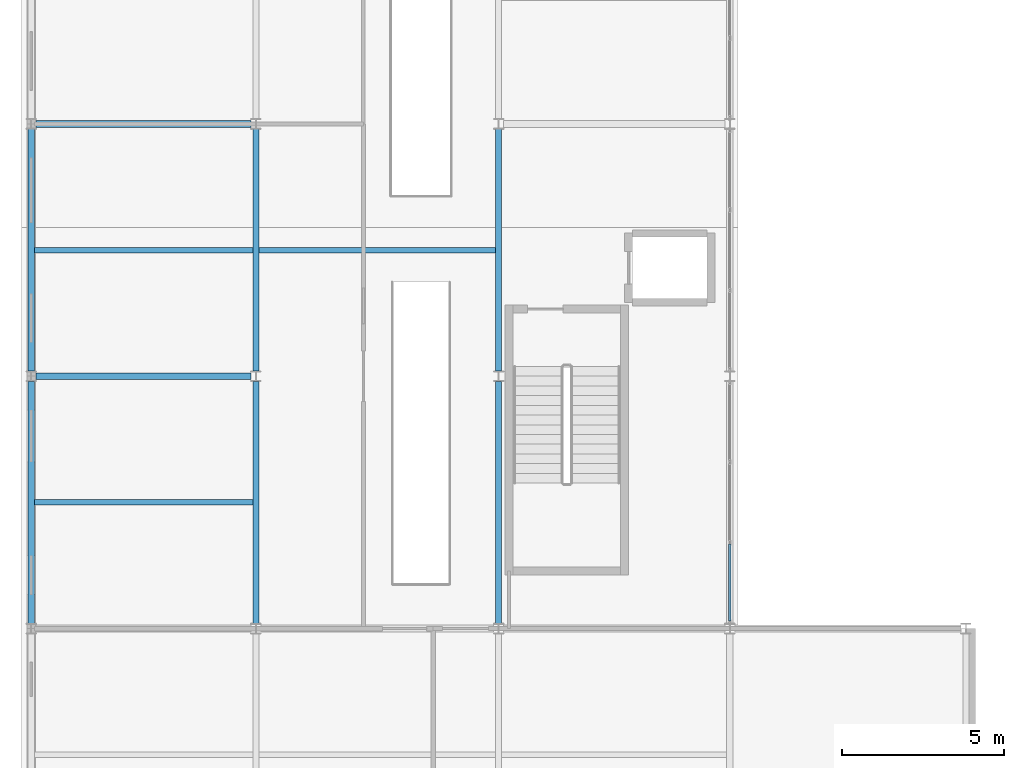
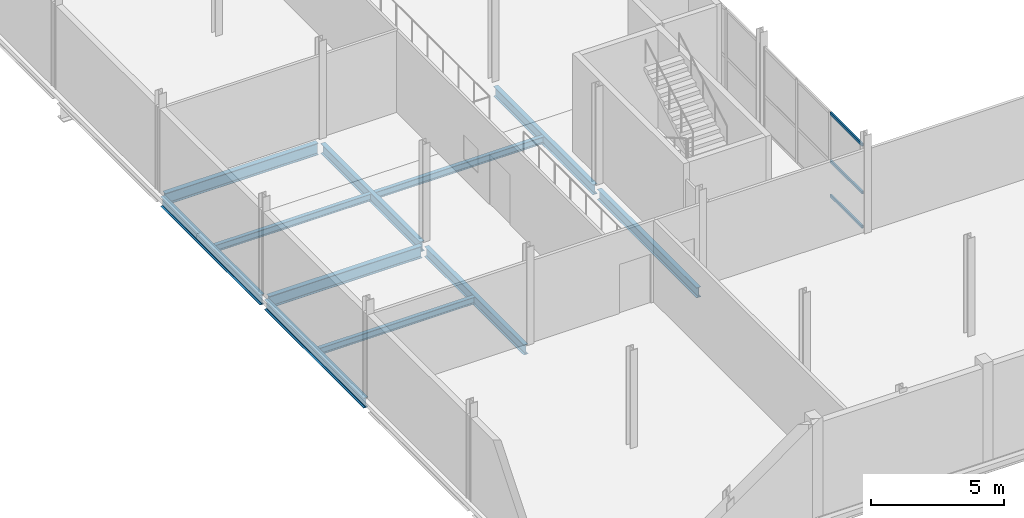
# One storey, part 13 of 77: 11 beams, 3 members, 1 element without a shape of its own.
"""IFC4 building model written with IfcOpenShell, lengths in metres."""

import ifcopenshell
import ifcopenshell.guid

model = None  # the IFC model being written
_history = None  # IfcOwnerHistory: only IFC2X3 demands one
_inside = {}  # id of a spatial element -> (the spatial element, [elements in it])
_under = {}  # id of a project, library or spatial element -> (it, [spatial elements below it])
_declared = {}  # id of a project -> (the project, [libraries it declares])
_typed = {}  # id of a type object -> (the type object, [elements of that type])
_made_of = {}  # id of a material, layer set ... -> (it, [elements and type objects made of it])


def new_model(schema):
    """Start an empty IFC model of exactly this schema.

    Asked for "IFC4X3", IfcOpenShell would pick the latest addendum, in which some entities
    have other attributes; the version numbers below select the first issue.
    IFC2X3 requires an IfcOwnerHistory on every rooted entity: one is made here for all.
    """
    global model, _history
    if schema == "IFC4X3":
        model = ifcopenshell.file(schema_version=(4, 3, 0, 0))
    else:
        model = ifcopenshell.file(schema=schema)
    _inside.clear()
    _under.clear()
    _declared.clear()
    _typed.clear()
    _made_of.clear()
    _history = None
    if model.schema == "IFC2X3":
        org = make("IfcOrganization", Name="unknown")
        user = make(
            "IfcPersonAndOrganization",
            ThePerson=make("IfcPerson", FamilyName="unknown"),
            TheOrganization=org,
        )
        app = make(
            "IfcApplication",
            ApplicationDeveloper=org,
            Version="unknown",
            ApplicationFullName="unknown",
            ApplicationIdentifier="unknown",
        )
        _history = make(
            "IfcOwnerHistory",
            OwningUser=user,
            OwningApplication=app,
            ChangeAction="ADDED",
            CreationDate=0,
        )
    return model


def make(cls, **values):
    """One entity of the class cls with the attributes given. An attribute that is None is left unset."""
    return model.create_entity(
        cls, **{name: value for name, value in values.items() if value is not None}
    )


def rooted(cls, **values):
    """An entity with a GlobalId (a new one), such as an element, a storey or a relation."""
    return make(cls, GlobalId=ifcopenshell.guid.new(), OwnerHistory=_history, **values)


def si_unit(unit_type, name, prefix=None):
    """IfcSIUnit, for example si_unit("LENGTHUNIT", "METRE", prefix="MILLI")."""
    return make("IfcSIUnit", UnitType=unit_type, Prefix=prefix, Name=name)


def assignment(units):
    """IfcUnitAssignment: the units of a project."""
    return None if units is None else make("IfcUnitAssignment", Units=units)


def point(xyz):
    """IfcCartesianPoint."""
    return None if xyz is None else make("IfcCartesianPoint", Coordinates=xyz)


def direction(xyz):
    """IfcDirection."""
    return None if xyz is None else make("IfcDirection", DirectionRatios=xyz)


def frame(location, z_axis=None, x_axis=None):
    """IfcAxis2Placement3D, a coordinate frame: its origin and axes. An axis left out is left unset."""
    return make(
        "IfcAxis2Placement3D",
        Location=point(location),
        Axis=direction(z_axis),
        RefDirection=direction(x_axis),
    )


def frame_2d(location, x_axis=None):
    """IfcAxis2Placement2D, a coordinate frame in the plane: its origin and x axis."""
    return make(
        "IfcAxis2Placement2D", Location=point(location), RefDirection=direction(x_axis)
    )


def origin():
    """The frame at (0, 0, 0) with its axes left unset."""
    return frame((0.0, 0.0, 0.0))


def origin_2d():
    """The frame at (0, 0) in the plane with its x axis left unset."""
    return frame_2d((0.0, 0.0))


def place(relative_to, where):
    """IfcLocalPlacement: puts the frame where relative to a parent placement (None: the world)."""
    return make(
        "IfcLocalPlacement", PlacementRelTo=relative_to, RelativePlacement=where
    )


def context(
    kind, dimensions, precision=None, world=None, true_north=None, identifier=None
):
    """IfcGeometricRepresentationContext, for example the 3D "Model" context."""
    return make(
        "IfcGeometricRepresentationContext",
        ContextIdentifier=identifier,
        ContextType=kind,
        CoordinateSpaceDimension=dimensions,
        Precision=precision,
        WorldCoordinateSystem=world,
        TrueNorth=true_north,
    )


def subcontext(parent, identifier, kind, view, scale=None):
    """IfcGeometricRepresentationSubContext, for example "Body" below "Model"."""
    return make(
        "IfcGeometricRepresentationSubContext",
        ContextIdentifier=identifier,
        ContextType=kind,
        ParentContext=parent,
        TargetScale=scale,
        TargetView=view,
    )


def project(units=None, contexts=None):
    """IfcProject with its units and contexts."""
    return rooted(
        "IfcProject",
        Name="project",
        RepresentationContexts=contexts,
        UnitsInContext=assignment(units),
    )


def spatial(cls, under=None, at=None, **own):
    """A site, building, storey or space (cls), placed at a placement, below another one or the project."""
    s = rooted(cls, ObjectPlacement=at, **own)
    if under is not None:
        _under.setdefault(under.id(), (under, []))[1].append(s)
    return s


def profile(cls, at=None, kind="AREA", **sizes):
    """A parametric profile (cls). Its sizes go by their IFC names, for example OverallWidth=200.0."""
    return make(cls, ProfileType=kind, Position=at, **sizes)


def hollow_rectangle(**sizes):
    """IfcRectangleHollowProfileDef."""
    return profile("IfcRectangleHollowProfileDef", **sizes)


def i_section(**sizes):
    """IfcIShapeProfileDef."""
    return profile("IfcIShapeProfileDef", **sizes)


def extrude(swept, where, along, depth):
    """IfcExtrudedAreaSolid: the profile swept, set in the frame where, extruded along a direction by depth."""
    return make(
        "IfcExtrudedAreaSolid",
        SweptArea=swept,
        Position=where,
        ExtrudedDirection=direction(along),
        Depth=depth,
    )


def shape(context_of_items, identifier, shape_type, items):
    """IfcShapeRepresentation: the items that make up one representation, for example the "Body"."""
    return make(
        "IfcShapeRepresentation",
        ContextOfItems=context_of_items,
        RepresentationIdentifier=identifier,
        RepresentationType=shape_type,
        Items=items,
    )


def material(Name=None, Category=None):
    """IfcMaterial."""
    return make("IfcMaterial", Name=Name, Category=Category)


def layer(
    of_material, thickness, ventilated=None, Name=None, Category=None, Priority=None
):
    """IfcMaterialLayer: one layer of a wall or slab, of a material (None: an air gap)."""
    return make(
        "IfcMaterialLayer",
        Material=of_material,
        LayerThickness=thickness,
        IsVentilated=ventilated,
        Name=Name,
        Category=Category,
        Priority=Priority,
    )


def layer_set(layers, Name=None):
    """IfcMaterialLayerSet."""
    return make("IfcMaterialLayerSet", MaterialLayers=layers, LayerSetName=Name)


def material_profile(
    of_material, cross_section, Name=None, Category=None, Priority=None
):
    """IfcMaterialProfile: a cross section and its material."""
    return make(
        "IfcMaterialProfile",
        Name=Name,
        Material=of_material,
        Profile=cross_section,
        Priority=Priority,
        Category=Category,
    )


def profile_set(profiles, Name=None, composite=None):
    """IfcMaterialProfileSet."""
    return make(
        "IfcMaterialProfileSet",
        Name=Name,
        MaterialProfiles=profiles,
        CompositeProfile=composite,
    )


def made_of(thing, what):
    """Note that an element or type object is made of a material, layer set ...; save() writes the relation."""
    if what is not None:
        _made_of.setdefault(what.id(), (what, []))[1].append(thing)
    return thing


def type_object(cls, material=None, **own):
    """A type object (cls), such as IfcWallType, which elements share."""
    return made_of(rooted(cls, **own), material)


def element(
    cls,
    number,
    at=None,
    inside=None,
    cuts=None,
    type_object=None,
    material=None,
    context=None,
    identifier="Body",
    shape_type=None,
    held_by="IfcProductDefinitionShape",
    body=None,
    shapes=None,
    **own,
):
    """One element of the class cls, such as IfcWall. Its Tag is "e" and its number.

    at: its placement. inside: the storey or other place that contains it. cuts: it is an
    opening in that element (IfcRelVoidsElement). A single representation is given by context,
    identifier, shape_type and body (its items); several are given by shapes. held_by: the class
    of the entity that holds the representations. save() writes the other relations.
    """
    e = rooted(cls, Tag="e%d" % number, ObjectPlacement=at, **own)
    if body is not None:
        shapes = [shape(context, identifier, shape_type, body)]
    if shapes is not None:
        e.Representation = make(held_by, Representations=shapes)
    if inside is not None:
        _inside.setdefault(inside.id(), (inside, []))[1].append(e)
    if cuts is not None:
        rooted(
            "IfcRelVoidsElement", RelatingBuildingElement=cuts, RelatedOpeningElement=e
        )
    if type_object is not None:
        _typed.setdefault(type_object.id(), (type_object, []))[1].append(e)
    return made_of(e, material)


def aggregate(whole, parts):
    """IfcRelAggregates: a whole, such as a stair, and the parts it consists of."""
    return rooted("IfcRelAggregates", RelatingObject=whole, RelatedObjects=parts)


def save(model, path):
    """Write the relations noted so far, then the file.

    IfcRelAggregates (storeys below a building ...), IfcRelContainedInSpatialStructure (elements
    in a storey), IfcRelDefinesByType, IfcRelAssociatesMaterial and IfcRelDeclares: one each for
    every whole, place, type object, material and project.
    """
    for whole, parts in _under.values():
        aggregate(whole, parts)
    for where, things in _inside.values():
        rooted(
            "IfcRelContainedInSpatialStructure",
            RelatedElements=things,
            RelatingStructure=where,
        )
    for kind, things in _typed.values():
        rooted("IfcRelDefinesByType", RelatedObjects=things, RelatingType=kind)
    for what, things in _made_of.values():
        rooted("IfcRelAssociatesMaterial", RelatedObjects=things, RelatingMaterial=what)
    for by, libraries in _declared.values():
        rooted("IfcRelDeclares", RelatingContext=by, RelatedDefinitions=libraries)
    model.write(path)


model = new_model("IFC4")

# Units and contexts
model_context = context("Model", 3, precision=1e-05, world=origin(), true_north=direction((0.0, 1.0)))
body_context = subcontext(model_context, "Body", "Model", "MODEL_VIEW")
ifc_project = project(units=[si_unit("LENGTHUNIT", "METRE"), si_unit("AREAUNIT", "SQUARE_METRE"), si_unit("VOLUMEUNIT", "CUBIC_METRE"), si_unit("PLANEANGLEUNIT", "RADIAN"), si_unit("MASSUNIT", "GRAM", prefix="KILO")], contexts=[model_context])

# Site, building, storey
site_placement = place(None, origin())
site = spatial("IfcSite", under=ifc_project, at=site_placement, CompositionType="ELEMENT")
building_placement = place(site_placement, origin())
building = spatial("IfcBuilding", under=site, at=building_placement, Name="Quillay Park Conservatory", CompositionType="ELEMENT")
storey_placement = place(building_placement, frame((0.0, 0.0, 5.39990234375)))
storey = spatial("IfcBuildingStorey", under=building, at=storey_placement, Name="L01", CompositionType="ELEMENT", Elevation=5.39990234375)

# Beams
ifc_material_1 = material(Name="Steel ASTM A992 Grade 50", Category="steel")
ifc_material_profile_1 = material_profile(ifc_material_1, i_section(OverallWidth=0.166015625, OverallDepth=0.31298828125, WebThickness=0.006591796875, FlangeThickness=0.01123046875, FilletRadius=0.010009765625, at=origin_2d()), Name="W310x45")
ifc_profile_set_1 = profile_set([ifc_material_profile_1], Name="Steel ASTM A992 Grade 50")
beam_type_1 = type_object("IfcBeamType", Name="COMPOSITE FLOOR JOIST W310 X45", PredefinedType="JOIST", material=ifc_profile_set_1)
for number, where, z_axis, x_axis, name in (
    (1, (0.64599609375, 19.5, -0.346435546875), (1.0, 0.0, 0.0), (0.0, 1.0, 0.0), "L01 beam BM-V3J-1318"),
    (2, (0.64599609375, 27.300048828125, -0.346435546875), (1.0, 0.0, 0.0), (0.0, 1.0, 0.0), "L01 beam BM-V3J-1319"),
):
    element("IfcBeam", number, at=place(storey_placement, frame(where, z_axis=z_axis, x_axis=x_axis)), inside=storey, type_object=beam_type_1, Name=name, PredefinedType="JOIST", context=body_context, shape_type="SweptSolid", body=[
        extrude(i_section(OverallWidth=0.166015625, OverallDepth=0.31298828125, WebThickness=0.006591796875, FlangeThickness=0.01123046875, FilletRadius=0.010009765625, at=origin_2d()), origin(), (0.0, 0.0, 1.0), 6.758056640625),
    ])
beam_placement = place(storey_placement, frame((7.595947265625, 27.300048828125, -0.346435546875), z_axis=(1.0, 0.0, 0.0), x_axis=(0.0, 1.0, 0.0)))
element("IfcBeam", 3, at=beam_placement, inside=storey, type_object=beam_type_1, Name="L01 beam BM-V3J-1320", PredefinedType="JOIST", context=body_context, shape_type="SweptSolid", body=[
    extrude(i_section(OverallWidth=0.166015625, OverallDepth=0.31298828125, WebThickness=0.006591796875, FlangeThickness=0.01123046875, FilletRadius=0.010009765625, at=origin_2d()), origin(), (0.0, 0.0, 1.0), 7.30810546875),
])

# Curtain wall, members
ifc_material_2 = material(Name="Thermally Broken Anodised Aluminium 6063-T6", Category="aluminium")
ifc_layer = layer(ifc_material_2, 0.1650390625)
ifc_layer_set = layer_set([ifc_layer], Name="UNITISED CURTAIN WALL PODIUM (Thermally Broken Anodised Aluminium 6063-T6)")
curtain_wall_type = type_object("IfcCurtainWallType", Name="UNITISED CURTAIN WALL PODIUM", PredefinedType="USERDEFINED", material=ifc_layer_set)
curtain_wall_placement = place(storey_placement, origin())
curtain_wall = element("IfcCurtainWall", 4, at=curtain_wall_placement, inside=storey, type_object=curtain_wall_type, Name="L01 Unitised Curtain Wall 200", ObjectType="UNITISED CURTAIN WALL", PredefinedType="USERDEFINED")
ifc_material_3 = material(Name="Thermally Broken Anodised Aluminium 6063-T6", Category="aluminium")
ifc_material_profile_2 = material_profile(ifc_material_3, hollow_rectangle(XDim=0.070068359375, YDim=0.1298828125, WallThickness=0.003173828125, at=origin_2d()), Name="AL70x130x3.2")
ifc_profile_set_2 = profile_set([ifc_material_profile_2], Name="Thermally Broken Anodised Aluminium 6063-T6")
member_type = type_object("IfcMemberType", Name="CURTAIN WALL TRANSOM 70 X130", PredefinedType="USERDEFINED", material=ifc_profile_set_2)
member_1_placement = place(storey_placement, frame((22.14990234375, 18.21826171875, 0.03515625), z_axis=(0.0, -1.0, 0.0), x_axis=(1.0, 0.0, 0.0)))
member_1 = element("IfcMember", 5, at=member_1_placement, type_object=member_type, Name="CW-P1 transom 3.1", ObjectType="TRANSOM", PredefinedType="USERDEFINED", context=body_context, shape_type="SweptSolid", body=[
    extrude(hollow_rectangle(XDim=0.070068359375, YDim=0.1298828125, WallThickness=0.003173828125, at=origin_2d()), origin(), (0.0, 0.0, 1.0), 2.38818359375),
])
member_2_placement = place(storey_placement, frame((22.14990234375, 18.21826171875, 1.614501953125), z_axis=(0.0, -1.0, 0.0), x_axis=(1.0, 0.0, 0.0)))
member_2 = element("IfcMember", 6, at=member_2_placement, type_object=member_type, Name="CW-P1 transom 3.2", ObjectType="TRANSOM", PredefinedType="USERDEFINED", context=body_context, shape_type="SweptSolid", body=[
    extrude(hollow_rectangle(XDim=0.070068359375, YDim=0.1298828125, WallThickness=0.003173828125, at=origin_2d()), origin(), (0.0, 0.0, 1.0), 2.38818359375),
])
member_3_placement = place(storey_placement, frame((22.14990234375, 18.21826171875, 3.80908203125), z_axis=(0.0, -1.0, 0.0), x_axis=(1.0, 0.0, 0.0)))
member_3 = element("IfcMember", 7, at=member_3_placement, type_object=member_type, Name="CW-P1 transom 3.3", ObjectType="TRANSOM", PredefinedType="USERDEFINED", context=body_context, shape_type="SweptSolid", body=[
    extrude(hollow_rectangle(XDim=0.070068359375, YDim=0.1298828125, WallThickness=0.003173828125, at=origin_2d()), origin(), (0.0, 0.0, 1.0), 2.38818359375),
])
aggregate(curtain_wall, [member_1, member_2, member_3])

# Beams
ifc_material_4 = material(Name="Steel ASTM A992 Grade 50", Category="steel")
ifc_material_profile_3 = material_profile(ifc_material_4, i_section(OverallWidth=0.19189453125, OverallDepth=0.462890625, WebThickness=0.010498046875, FlangeThickness=0.017578125, FilletRadius=0.012939453125, at=origin_2d()), Name="W460x89")
ifc_profile_set_3 = profile_set([ifc_material_profile_3], Name="Steel ASTM A992 Grade 50")
beam_type_2 = type_object("IfcBeamType", Name="PRIMARY FLOOR GIRDER W460 X89", PredefinedType="BEAM", material=ifc_profile_set_3)
for number, where, z_axis, x_axis, name in (
    (8, (0.550048828125, 15.761474609375, -0.42138671875), (0.0, 1.0, 0.0), (-1.0, 0.0, 0.0), "L01 beam BM-V3Y-1285"),
    (9, (0.550048828125, 23.5615234375, -0.42138671875), (0.0, 1.0, 0.0), (-1.0, 0.0, 0.0), "L01 beam BM-V3Y-1286"),
    (10, (7.5, 15.761474609375, -0.42138671875), (0.0, 1.0, 0.0), (-1.0, 0.0, 0.0), "L01 beam BM-V3Y-1292"),
    (11, (7.5, 23.5615234375, -0.42138671875), (0.0, 1.0, 0.0), (-1.0, 0.0, 0.0), "L01 beam BM-V3Y-1293"),
    (12, (15.0, 15.761474609375, -0.42138671875), (0.0, 1.0, 0.0), (-1.0, 0.0, 0.0), "L01 beam BM-V3Y-1298"),
    (13, (15.0, 23.5615234375, -0.42138671875), (0.0, 1.0, 0.0), (-1.0, 0.0, 0.0), "L01 beam BM-V3Y-1299"),
):
    element("IfcBeam", number, at=place(storey_placement, frame(where, z_axis=z_axis, x_axis=x_axis)), inside=storey, type_object=beam_type_2, Name=name, PredefinedType="BEAM", context=body_context, shape_type="SweptSolid", body=[
        extrude(i_section(OverallWidth=0.19189453125, OverallDepth=0.462890625, WebThickness=0.010498046875, FlangeThickness=0.017578125, FilletRadius=0.012939453125, at=origin_2d()), origin(), (0.0, 0.0, 1.0), 7.47705078125),
    ])
ifc_material_5 = material(Name="Steel ASTM A992 Grade 50", Category="steel")
ifc_material_profile_4 = material_profile(ifc_material_5, i_section(OverallWidth=0.2109375, OverallDepth=0.5390625, WebThickness=0.01171875, FlangeThickness=0.018798828125, FilletRadius=0.013916015625, at=origin_2d()), Name="W530x109")
ifc_profile_set_4 = profile_set([ifc_material_profile_4], Name="Steel ASTM A992 Grade 50")
beam_type_3 = type_object("IfcBeamType", Name="PRIMARY FLOOR GIRDER W530 X109", PredefinedType="BEAM", material=ifc_profile_set_4)
for number, where, z_axis, x_axis, name in (
    (14, (0.70458984375, 23.39990234375, -0.45947265625), (1.0, 0.0, 0.0), (0.0, 1.0, 0.0), "L01 beam BM-V3X-1273"),
    (15, (0.70458984375, 31.199951171875, -0.45947265625), (1.0, 0.0, 0.0), (0.0, 1.0, 0.0), "L01 beam BM-V3X-1274"),
):
    element("IfcBeam", number, at=place(storey_placement, frame(where, z_axis=z_axis, x_axis=x_axis)), inside=storey, type_object=beam_type_3, Name=name, PredefinedType="BEAM", context=body_context, shape_type="SweptSolid", body=[
        extrude(i_section(OverallWidth=0.2109375, OverallDepth=0.5390625, WebThickness=0.01171875, FlangeThickness=0.018798828125, FilletRadius=0.013916015625, at=origin_2d()), origin(), (0.0, 0.0, 1.0), 6.640869140625),
    ])

save(model, "model.ifc")
